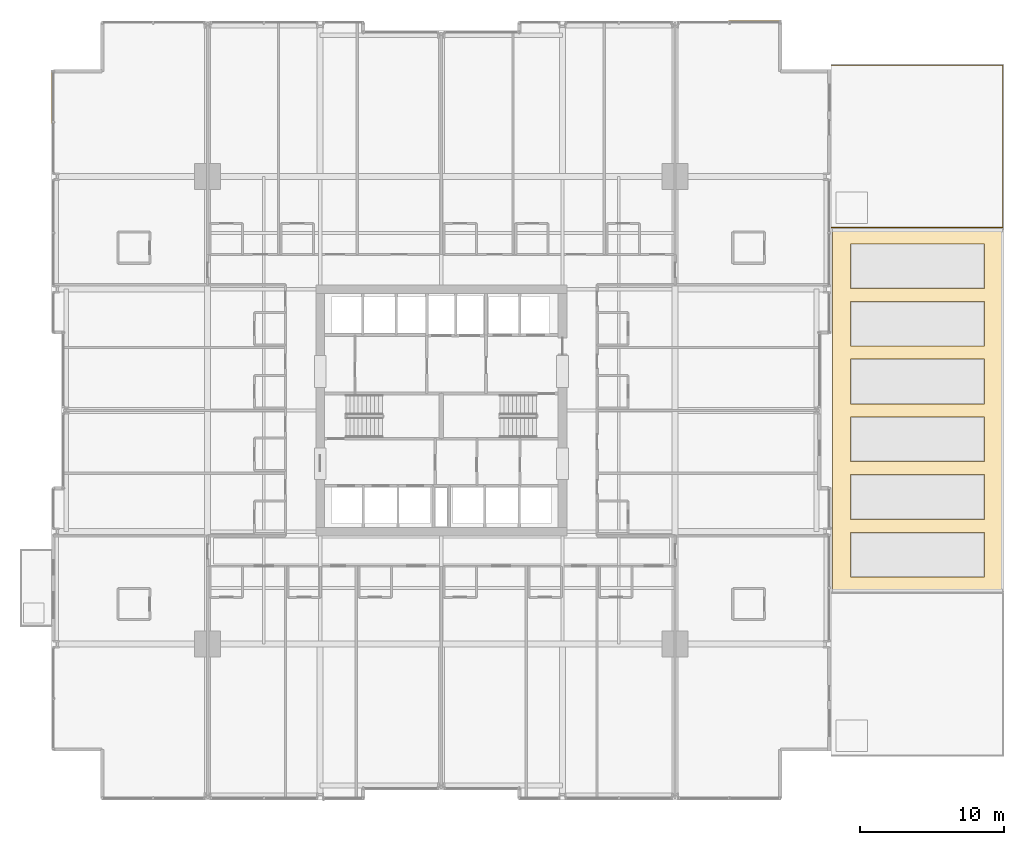
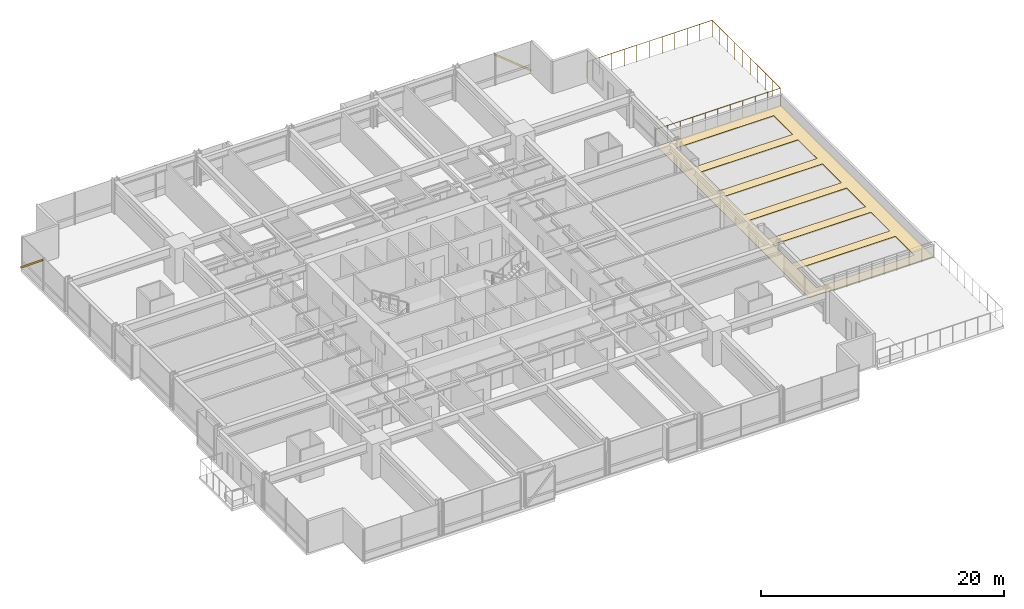
# One storey, part 42 of 42: 2 shading devices, 1 covering, 1 railing.
"""IFC4 building model written with IfcOpenShell, lengths in metres."""

from ifc_helpers import new_model, si_unit, direction, frame, origin, origin_2d, place, context, subcontext, project, spatial, polyline, hollow_rectangle, circle, outline, extrude, material, layer, layer_set, material_profile, profile_set, type_object, element, save


model = new_model("IFC4")

# Units and contexts
model_context = context("Model", 3, precision=1e-05, world=origin(), true_north=direction((0.0, 1.0)))
body_context = subcontext(model_context, "Body", "Model", "MODEL_VIEW")
ifc_project = project(units=[si_unit("LENGTHUNIT", "METRE"), si_unit("AREAUNIT", "SQUARE_METRE"), si_unit("VOLUMEUNIT", "CUBIC_METRE"), si_unit("PLANEANGLEUNIT", "RADIAN"), si_unit("MASSUNIT", "GRAM", prefix="KILO")], contexts=[model_context])

# Site, building, storey
site_placement = place(None, origin())
site = spatial("IfcSite", under=ifc_project, at=site_placement, CompositionType="ELEMENT")
building_placement = place(site_placement, origin())
building = spatial("IfcBuilding", under=site, at=building_placement, Name="Drelvath Grand Hotel", CompositionType="ELEMENT")
storey_placement = place(building_placement, frame((0.0, 0.0, 33.199951171875)))
storey = spatial("IfcBuildingStorey", under=building, at=storey_placement, Name="L06", CompositionType="ELEMENT", Elevation=33.199951171875)

# Shading devices
ifc_material_1 = material(Name="Warm Bronze Anodised Aluminium", Category="aluminium")
ifc_material_profile = material_profile(ifc_material_1, hollow_rectangle(XDim=0.06494140625, YDim=0.159912109375, WallThickness=0.00390625, at=origin_2d()), Name="HSS160X65X4")
ifc_profile_set = profile_set([ifc_material_profile], Name="Warm Bronze Anodised Aluminium")
shading_device_type = type_object("IfcShadingDeviceType", Name="Diagonal Solar Fin Warm Bronze Anodised HSS160X65X4", PredefinedType="USERDEFINED", material=ifc_profile_set)
for number, where, z_axis, x_axis, name in (
    (1, (-26.9599609375, 50.5, 0.179931640625), (0.0, -0.774782809762, 0.632227488882), (1.0, 0.0, 0.0), "L06 Diagonal Anodised Fin CW02-L06-WN3"),
    (2, (23.5, 53.9599609375, 0.179931640625), (-0.774782809762, 0.0, 0.632227488882), (0.0, -1.0, 0.0), "L06 Diagonal Anodised Fin CW02-L06-NE3"),
):
    element("IfcShadingDevice", number, at=place(storey_placement, frame(where, z_axis=z_axis, x_axis=x_axis)), inside=storey, type_object=shading_device_type, Name=name, ObjectType="FIN", PredefinedType="USERDEFINED", context=body_context, shape_type="SweptSolid", body=[
        extrude(hollow_rectangle(XDim=0.06494140625, YDim=0.159912109375, WallThickness=0.00390625, at=origin_2d()), origin(), (0.0, 0.0, 1.0), 4.555419921875),
    ])

# Railing
ifc_material_2 = material(Name="Anodised Aluminium and Laminated Glass Balustrade", Category="aluminium")
railing_type = type_object("IfcRailingType", Name="Raised Planter Edge Balustrade 1700", PredefinedType="BALUSTRADE", material=ifc_material_2)
railing_placement = place(storey_placement, frame((27.02001953125, 39.679931640625, 0.0)))
element("IfcRailing", 3, at=railing_placement, inside=storey, type_object=railing_type, Name="L06 Setback Terrace Perimeter Balustrade 2", PredefinedType="BALUSTRADE", context=body_context, shape_type="SweptSolid", body=[
    extrude(circle(Radius=0.02392578125, at=origin_2d()), frame((0.0, 0.0, 1.67578125), z_axis=(1.0, 0.0, 0.0), x_axis=(0.0, 1.0, 0.0)), (0.0, 0.0, 1.0), 11.89990234375),
    extrude(circle(Radius=0.02392578125, at=origin_2d()), frame((11.89990234375, 0.0, 1.67578125), z_axis=(0.0, 1.0, 0.0), x_axis=(-1.0, 0.0, 0.0)), (0.0, 0.0, 1.0), 11.239990234375),
    extrude(circle(Radius=0.02392578125, at=origin_2d()), frame((11.89990234375, 11.239990234375, 1.67578125), z_axis=(-1.0, 0.0, 0.0), x_axis=(0.0, -1.0, 0.0)), (0.0, 0.0, 1.0), 11.89990234375),
    extrude(circle(Radius=0.02099609375, at=origin_2d()), origin(), (0.0, 0.0, 1.0), 1.65185546875),
    extrude(circle(Radius=0.02099609375, at=origin_2d()), frame((1.18994140625, 0.0, 0.0)), (0.0, 0.0, 1.0), 1.65185546875),
    extrude(circle(Radius=0.02099609375, at=origin_2d()), frame((2.3798828125, 0.0, 0.0)), (0.0, 0.0, 1.0), 1.65185546875),
    extrude(circle(Radius=0.02099609375, at=origin_2d()), frame((3.570068359375, 0.0, 0.0)), (0.0, 0.0, 1.0), 1.65185546875),
    extrude(circle(Radius=0.02099609375, at=origin_2d()), frame((4.760009765625, 0.0, 0.0)), (0.0, 0.0, 1.0), 1.65185546875),
    extrude(circle(Radius=0.02099609375, at=origin_2d()), frame((5.949951171875, 0.0, 0.0)), (0.0, 0.0, 1.0), 1.65185546875),
    extrude(circle(Radius=0.02099609375, at=origin_2d()), frame((7.139892578125, 0.0, 0.0)), (0.0, 0.0, 1.0), 1.65185546875),
    extrude(circle(Radius=0.02099609375, at=origin_2d()), frame((8.329833984375, 0.0, 0.0)), (0.0, 0.0, 1.0), 1.65185546875),
    extrude(circle(Radius=0.02099609375, at=origin_2d()), frame((9.52001953125, 0.0, 0.0)), (0.0, 0.0, 1.0), 1.65185546875),
    extrude(circle(Radius=0.02099609375, at=origin_2d()), frame((10.7099609375, 0.0, 0.0)), (0.0, 0.0, 1.0), 1.65185546875),
    extrude(circle(Radius=0.02099609375, at=origin_2d()), frame((11.89990234375, 0.0, 0.0)), (0.0, 0.0, 1.0), 1.65185546875),
    extrude(circle(Radius=0.02099609375, at=origin_2d()), frame((11.89990234375, 1.248779296875, 0.0)), (0.0, 0.0, 1.0), 1.65185546875),
    extrude(circle(Radius=0.02099609375, at=origin_2d()), frame((11.89990234375, 2.497802734375, 0.0)), (0.0, 0.0, 1.0), 1.65185546875),
    extrude(circle(Radius=0.02099609375, at=origin_2d()), frame((11.89990234375, 3.74658203125, 0.0)), (0.0, 0.0, 1.0), 1.65185546875),
    extrude(circle(Radius=0.02099609375, at=origin_2d()), frame((11.89990234375, 4.99560546875, 0.0)), (0.0, 0.0, 1.0), 1.65185546875),
    extrude(circle(Radius=0.02099609375, at=origin_2d()), frame((11.89990234375, 6.244384765625, 0.0)), (0.0, 0.0, 1.0), 1.65185546875),
    extrude(circle(Radius=0.02099609375, at=origin_2d()), frame((11.89990234375, 7.493408203125, 0.0)), (0.0, 0.0, 1.0), 1.65185546875),
    extrude(circle(Radius=0.02099609375, at=origin_2d()), frame((11.89990234375, 8.7421875, 0.0)), (0.0, 0.0, 1.0), 1.65185546875),
    extrude(circle(Radius=0.02099609375, at=origin_2d()), frame((11.89990234375, 9.9912109375, 0.0)), (0.0, 0.0, 1.0), 1.65185546875),
    extrude(circle(Radius=0.02099609375, at=origin_2d()), frame((11.89990234375, 11.239990234375, 0.0)), (0.0, 0.0, 1.0), 1.65185546875),
    extrude(circle(Radius=0.02099609375, at=origin_2d()), frame((10.7099609375, 11.239990234375, 0.0)), (0.0, 0.0, 1.0), 1.65185546875),
    extrude(circle(Radius=0.02099609375, at=origin_2d()), frame((9.52001953125, 11.239990234375, 0.0)), (0.0, 0.0, 1.0), 1.65185546875),
    extrude(circle(Radius=0.02099609375, at=origin_2d()), frame((8.329833984375, 11.239990234375, 0.0)), (0.0, 0.0, 1.0), 1.65185546875),
    extrude(circle(Radius=0.02099609375, at=origin_2d()), frame((7.139892578125, 11.239990234375, 0.0)), (0.0, 0.0, 1.0), 1.65185546875),
    extrude(circle(Radius=0.02099609375, at=origin_2d()), frame((5.949951171875, 11.239990234375, 0.0)), (0.0, 0.0, 1.0), 1.65185546875),
    extrude(circle(Radius=0.02099609375, at=origin_2d()), frame((4.760009765625, 11.239990234375, 0.0)), (0.0, 0.0, 1.0), 1.65185546875),
    extrude(circle(Radius=0.02099609375, at=origin_2d()), frame((3.570068359375, 11.239990234375, 0.0)), (0.0, 0.0, 1.0), 1.65185546875),
    extrude(circle(Radius=0.02099609375, at=origin_2d()), frame((2.3798828125, 11.239990234375, 0.0)), (0.0, 0.0, 1.0), 1.65185546875),
    extrude(circle(Radius=0.02099609375, at=origin_2d()), frame((1.18994140625, 11.239990234375, 0.0)), (0.0, 0.0, 1.0), 1.65185546875),
    extrude(circle(Radius=0.02099609375, at=origin_2d()), frame((0.0, 11.239990234375, 0.0)), (0.0, 0.0, 1.0), 1.65185546875),
])

# Covering
ifc_material_3 = material(Name="Tapered Polyisocyanurate Waterproofing Membrane", Category="membrane")
ifc_layer = layer(ifc_material_3, 0.0400390625)
ifc_layer_set = layer_set([ifc_layer], Name="Tapered Polyisocyanurate Waterproofing Membrane")
covering_type = type_object("IfcCoveringType", Name="Tapered Insulated Roof Membrane Covering 40", PredefinedType="ROOFING", material=ifc_layer_set)
covering_placement = place(storey_placement, origin())
element("IfcCovering", 4, at=covering_placement, inside=storey, type_object=covering_type, Name="L06 Atrium Roof Waterproofing Membrane", PredefinedType="ROOFING", context=body_context, shape_type="SweptSolid", body=[
    extrude(outline(polyline([(27.10009765625, 14.449951171875), (38.89990234375, 14.449951171875), (38.89990234375, 39.550048828125), (27.10009765625, 39.550048828125), (27.10009765625, 14.449951171875)]), holes=[polyline([(28.35009765625, 15.449951171875), (28.35009765625, 18.550048828125), (37.64990234375, 18.550048828125), (37.64990234375, 15.449951171875), (28.35009765625, 15.449951171875)]), polyline([(28.35009765625, 19.449951171875), (28.35009765625, 22.550048828125), (37.64990234375, 22.550048828125), (37.64990234375, 19.449951171875), (28.35009765625, 19.449951171875)]), polyline([(28.35009765625, 23.449951171875), (28.35009765625, 26.550048828125), (37.64990234375, 26.550048828125), (37.64990234375, 23.449951171875), (28.35009765625, 23.449951171875)]), polyline([(28.35009765625, 27.449951171875), (28.35009765625, 30.550048828125), (37.64990234375, 30.550048828125), (37.64990234375, 27.449951171875), (28.35009765625, 27.449951171875)]), polyline([(28.35009765625, 31.449951171875), (28.35009765625, 34.550048828125), (37.64990234375, 34.550048828125), (37.64990234375, 31.449951171875), (28.35009765625, 31.449951171875)]), polyline([(28.35009765625, 35.449951171875), (28.35009765625, 38.550048828125), (37.64990234375, 38.550048828125), (37.64990234375, 35.449951171875), (28.35009765625, 35.449951171875)])]), origin(), (0.0, 0.0, 1.0), 0.0400390625),
])

save(model, "model.ifc")
